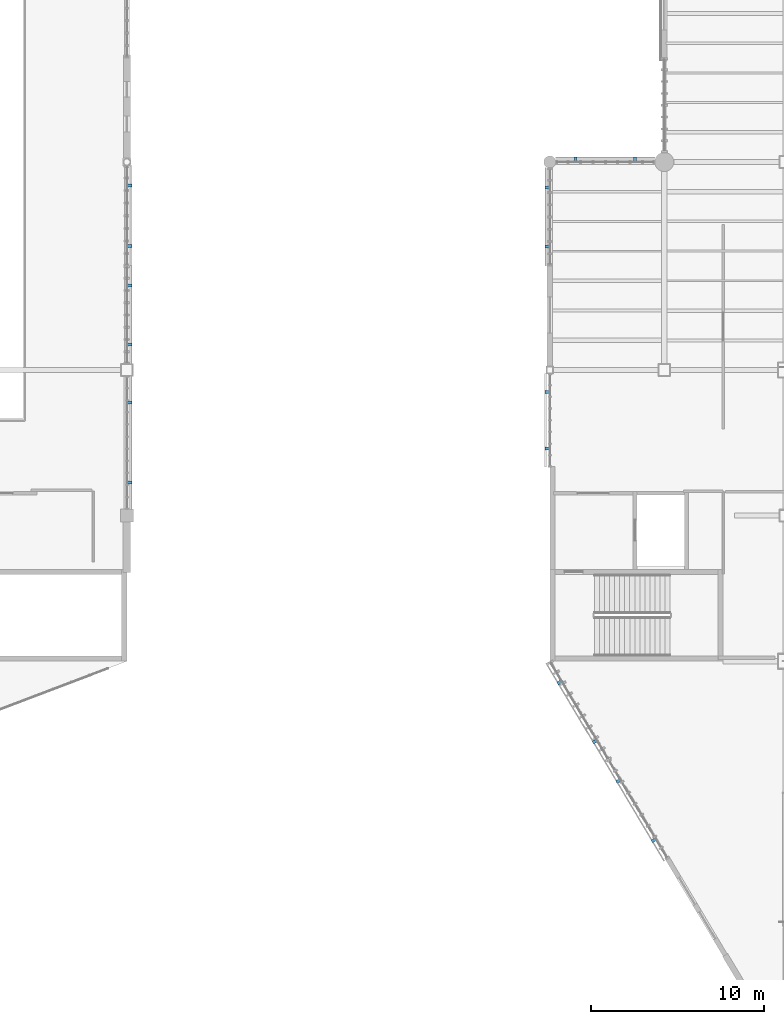
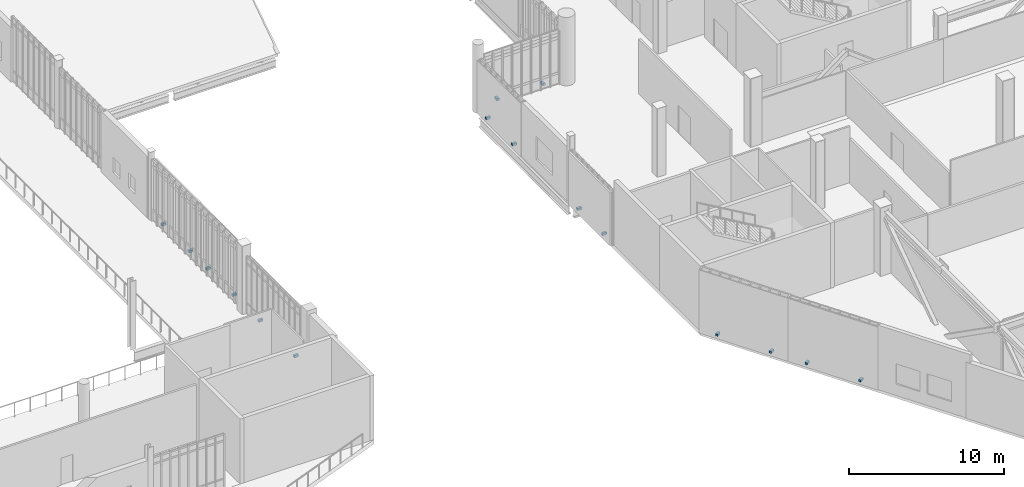
# One storey, part 124 of 135: 16 discrete accessories.
"""IFC4 building model written with IfcOpenShell, lengths in metres."""

import ifcopenshell
import ifcopenshell.guid

model = None  # the IFC model being written
_history = None  # IfcOwnerHistory: only IFC2X3 demands one
_inside = {}  # id of a spatial element -> (the spatial element, [elements in it])
_under = {}  # id of a project, library or spatial element -> (it, [spatial elements below it])
_declared = {}  # id of a project -> (the project, [libraries it declares])
_typed = {}  # id of a type object -> (the type object, [elements of that type])
_made_of = {}  # id of a material, layer set ... -> (it, [elements and type objects made of it])


def new_model(schema):
    """Start an empty IFC model of exactly this schema.

    Asked for "IFC4X3", IfcOpenShell would pick the latest addendum, in which some entities
    have other attributes; the version numbers below select the first issue.
    IFC2X3 requires an IfcOwnerHistory on every rooted entity: one is made here for all.
    """
    global model, _history
    if schema == "IFC4X3":
        model = ifcopenshell.file(schema_version=(4, 3, 0, 0))
    else:
        model = ifcopenshell.file(schema=schema)
    _inside.clear()
    _under.clear()
    _declared.clear()
    _typed.clear()
    _made_of.clear()
    _history = None
    if model.schema == "IFC2X3":
        org = make("IfcOrganization", Name="unknown")
        user = make(
            "IfcPersonAndOrganization",
            ThePerson=make("IfcPerson", FamilyName="unknown"),
            TheOrganization=org,
        )
        app = make(
            "IfcApplication",
            ApplicationDeveloper=org,
            Version="unknown",
            ApplicationFullName="unknown",
            ApplicationIdentifier="unknown",
        )
        _history = make(
            "IfcOwnerHistory",
            OwningUser=user,
            OwningApplication=app,
            ChangeAction="ADDED",
            CreationDate=0,
        )
    return model


def make(cls, **values):
    """One entity of the class cls with the attributes given. An attribute that is None is left unset."""
    return model.create_entity(
        cls, **{name: value for name, value in values.items() if value is not None}
    )


def rooted(cls, **values):
    """An entity with a GlobalId (a new one), such as an element, a storey or a relation."""
    return make(cls, GlobalId=ifcopenshell.guid.new(), OwnerHistory=_history, **values)


def si_unit(unit_type, name, prefix=None):
    """IfcSIUnit, for example si_unit("LENGTHUNIT", "METRE", prefix="MILLI")."""
    return make("IfcSIUnit", UnitType=unit_type, Prefix=prefix, Name=name)


def assignment(units):
    """IfcUnitAssignment: the units of a project."""
    return None if units is None else make("IfcUnitAssignment", Units=units)


def point(xyz):
    """IfcCartesianPoint."""
    return None if xyz is None else make("IfcCartesianPoint", Coordinates=xyz)


def direction(xyz):
    """IfcDirection."""
    return None if xyz is None else make("IfcDirection", DirectionRatios=xyz)


def frame(location, z_axis=None, x_axis=None):
    """IfcAxis2Placement3D, a coordinate frame: its origin and axes. An axis left out is left unset."""
    return make(
        "IfcAxis2Placement3D",
        Location=point(location),
        Axis=direction(z_axis),
        RefDirection=direction(x_axis),
    )


def frame_2d(location, x_axis=None):
    """IfcAxis2Placement2D, a coordinate frame in the plane: its origin and x axis."""
    return make(
        "IfcAxis2Placement2D", Location=point(location), RefDirection=direction(x_axis)
    )


def origin():
    """The frame at (0, 0, 0) with its axes left unset."""
    return frame((0.0, 0.0, 0.0))


def origin_2d():
    """The frame at (0, 0) in the plane with its x axis left unset."""
    return frame_2d((0.0, 0.0))


def place(relative_to, where):
    """IfcLocalPlacement: puts the frame where relative to a parent placement (None: the world)."""
    return make(
        "IfcLocalPlacement", PlacementRelTo=relative_to, RelativePlacement=where
    )


def context(
    kind, dimensions, precision=None, world=None, true_north=None, identifier=None
):
    """IfcGeometricRepresentationContext, for example the 3D "Model" context."""
    return make(
        "IfcGeometricRepresentationContext",
        ContextIdentifier=identifier,
        ContextType=kind,
        CoordinateSpaceDimension=dimensions,
        Precision=precision,
        WorldCoordinateSystem=world,
        TrueNorth=true_north,
    )


def subcontext(parent, identifier, kind, view, scale=None):
    """IfcGeometricRepresentationSubContext, for example "Body" below "Model"."""
    return make(
        "IfcGeometricRepresentationSubContext",
        ContextIdentifier=identifier,
        ContextType=kind,
        ParentContext=parent,
        TargetScale=scale,
        TargetView=view,
    )


def project(units=None, contexts=None):
    """IfcProject with its units and contexts."""
    return rooted(
        "IfcProject",
        Name="project",
        RepresentationContexts=contexts,
        UnitsInContext=assignment(units),
    )


def spatial(cls, under=None, at=None, **own):
    """A site, building, storey or space (cls), placed at a placement, below another one or the project."""
    s = rooted(cls, ObjectPlacement=at, **own)
    if under is not None:
        _under.setdefault(under.id(), (under, []))[1].append(s)
    return s


def profile(cls, at=None, kind="AREA", **sizes):
    """A parametric profile (cls). Its sizes go by their IFC names, for example OverallWidth=200.0."""
    return make(cls, ProfileType=kind, Position=at, **sizes)


def rectangle(**sizes):
    """IfcRectangleProfileDef."""
    return profile("IfcRectangleProfileDef", **sizes)


def extrude(swept, where, along, depth):
    """IfcExtrudedAreaSolid: the profile swept, set in the frame where, extruded along a direction by depth."""
    return make(
        "IfcExtrudedAreaSolid",
        SweptArea=swept,
        Position=where,
        ExtrudedDirection=direction(along),
        Depth=depth,
    )


def shape(context_of_items, identifier, shape_type, items):
    """IfcShapeRepresentation: the items that make up one representation, for example the "Body"."""
    return make(
        "IfcShapeRepresentation",
        ContextOfItems=context_of_items,
        RepresentationIdentifier=identifier,
        RepresentationType=shape_type,
        Items=items,
    )


def material(Name=None, Category=None):
    """IfcMaterial."""
    return make("IfcMaterial", Name=Name, Category=Category)


def layer(
    of_material, thickness, ventilated=None, Name=None, Category=None, Priority=None
):
    """IfcMaterialLayer: one layer of a wall or slab, of a material (None: an air gap)."""
    return make(
        "IfcMaterialLayer",
        Material=of_material,
        LayerThickness=thickness,
        IsVentilated=ventilated,
        Name=Name,
        Category=Category,
        Priority=Priority,
    )


def layer_set(layers, Name=None):
    """IfcMaterialLayerSet."""
    return make("IfcMaterialLayerSet", MaterialLayers=layers, LayerSetName=Name)


def made_of(thing, what):
    """Note that an element or type object is made of a material, layer set ...; save() writes the relation."""
    if what is not None:
        _made_of.setdefault(what.id(), (what, []))[1].append(thing)
    return thing


def type_object(cls, material=None, **own):
    """A type object (cls), such as IfcWallType, which elements share."""
    return made_of(rooted(cls, **own), material)


def element(
    cls,
    number,
    at=None,
    inside=None,
    cuts=None,
    type_object=None,
    material=None,
    context=None,
    identifier="Body",
    shape_type=None,
    held_by="IfcProductDefinitionShape",
    body=None,
    shapes=None,
    **own,
):
    """One element of the class cls, such as IfcWall. Its Tag is "e" and its number.

    at: its placement. inside: the storey or other place that contains it. cuts: it is an
    opening in that element (IfcRelVoidsElement). A single representation is given by context,
    identifier, shape_type and body (its items); several are given by shapes. held_by: the class
    of the entity that holds the representations. save() writes the other relations.
    """
    e = rooted(cls, Tag="e%d" % number, ObjectPlacement=at, **own)
    if body is not None:
        shapes = [shape(context, identifier, shape_type, body)]
    if shapes is not None:
        e.Representation = make(held_by, Representations=shapes)
    if inside is not None:
        _inside.setdefault(inside.id(), (inside, []))[1].append(e)
    if cuts is not None:
        rooted(
            "IfcRelVoidsElement", RelatingBuildingElement=cuts, RelatedOpeningElement=e
        )
    if type_object is not None:
        _typed.setdefault(type_object.id(), (type_object, []))[1].append(e)
    return made_of(e, material)


def aggregate(whole, parts):
    """IfcRelAggregates: a whole, such as a stair, and the parts it consists of."""
    return rooted("IfcRelAggregates", RelatingObject=whole, RelatedObjects=parts)


def save(model, path):
    """Write the relations noted so far, then the file.

    IfcRelAggregates (storeys below a building ...), IfcRelContainedInSpatialStructure (elements
    in a storey), IfcRelDefinesByType, IfcRelAssociatesMaterial and IfcRelDeclares: one each for
    every whole, place, type object, material and project.
    """
    for whole, parts in _under.values():
        aggregate(whole, parts)
    for where, things in _inside.values():
        rooted(
            "IfcRelContainedInSpatialStructure",
            RelatedElements=things,
            RelatingStructure=where,
        )
    for kind, things in _typed.values():
        rooted("IfcRelDefinesByType", RelatedObjects=things, RelatingType=kind)
    for what, things in _made_of.values():
        rooted("IfcRelAssociatesMaterial", RelatedObjects=things, RelatingMaterial=what)
    for by, libraries in _declared.values():
        rooted("IfcRelDeclares", RelatingContext=by, RelatedDefinitions=libraries)
    model.write(path)


model = new_model("IFC4")

# Units and contexts
model_context = context("Model", 3, precision=1e-05, world=origin(), true_north=direction((0.0, 1.0)))
body_context = subcontext(model_context, "Body", "Model", "MODEL_VIEW")
ifc_project = project(units=[si_unit("LENGTHUNIT", "METRE"), si_unit("AREAUNIT", "SQUARE_METRE"), si_unit("VOLUMEUNIT", "CUBIC_METRE"), si_unit("PLANEANGLEUNIT", "RADIAN"), si_unit("MASSUNIT", "GRAM", prefix="KILO")], contexts=[model_context])

# Site, building, storey
site_placement = place(None, origin())
site = spatial("IfcSite", under=ifc_project, at=site_placement, CompositionType="ELEMENT")
building_placement = place(site_placement, origin())
building = spatial("IfcBuilding", under=site, at=building_placement, Name="Larkvane Passage Sports Hall", CompositionType="ELEMENT")
storey_placement = place(building_placement, frame((0.0, 0.0, 16.800048828125)))
storey = spatial("IfcBuildingStorey", under=building, at=storey_placement, Name="L03", CompositionType="ELEMENT", Elevation=16.800048828125)

# Discrete accessories
ifc_material = material(Name="Steel S355JR", Category="steel")
ifc_layer = layer(ifc_material, 0.179931640625)
ifc_layer_set = layer_set([ifc_layer], Name="Steel S355JR")
discrete_accessory_type = type_object("IfcDiscreteAccessoryType", Name="ACC-BRACKET-STL", PredefinedType="BRACKET", material=ifc_layer_set)
for number, where, z_axis, x_axis, name in (
    (1, (124.016845703125, 12.478515625, 0.259765625), (0.0, 0.0, 1.0), (-0.512278301212, 0.858819504964, 0.0), "Veil outrigger bracket L03-085-1"),
    (2, (121.97705078125, 15.8984375, 0.259765625), (0.0, 0.0, 1.0), (-0.512278301212, 0.858819504964, 0.0), "Veil outrigger bracket L03-085-2"),
    (3, (120.6181640625, 18.176513671875, 0.259765625), (0.0, 0.0, 1.0), (-0.512278301212, 0.858819504964, 0.0), "Veil outrigger bracket L03-086-1"),
    (4, (118.581787109375, 21.590576171875, 0.259765625), (0.0, 0.0, 1.0), (-0.512278301212, 0.858819504964, 0.0), "Veil outrigger bracket L03-086-2"),
    (5, (117.8798828125, 35.080810546875, 0.259765625), (0.0, 0.0, 1.0), (0.0, 1.0, 0.0), "Veil outrigger bracket L03-087-1"),
    (6, (117.8798828125, 38.3232421875, 0.259765625), (0.0, 0.0, 1.0), (0.0, 1.0, 0.0), "Veil outrigger bracket L03-087-2"),
    (7, (117.8798828125, 46.730712890625, 0.259765625), (0.0, 0.0, 1.0), (0.0, 1.0, 0.0), "Veil outrigger bracket L03-088-1"),
    (8, (117.8798828125, 50.123291015625, 0.259765625), (0.0, 0.0, 1.0), (0.0, 1.0, 0.0), "Veil outrigger bracket L03-088-2"),
    (9, (119.487548828125, 51.719970703125, 0.259765625), (0.0, 0.0, 1.0), (1.0, 0.0, 0.0), "Veil outrigger bracket L03-089-1"),
    (10, (122.912353515625, 51.719970703125, 0.259765625), (0.0, 0.0, 1.0), (1.0, 0.0, 0.0), "Veil outrigger bracket L03-089-2"),
    (11, (93.719970703125, 50.24072265625, 0.259765625), (0.0, 0.0, 1.0), (0.0, -1.0, 0.0), "Veil outrigger bracket L03-105-1"),
    (12, (93.719970703125, 46.76025390625, 0.259765625), (0.0, 0.0, 1.0), (0.0, -1.0, 0.0), "Veil outrigger bracket L03-105-2"),
    (13, (93.719970703125, 44.46923828125, 0.259765625), (0.0, 0.0, 1.0), (0.0, -1.0, 0.0), "Veil outrigger bracket L03-106-1"),
    (14, (93.719970703125, 41.076904296875, 0.259765625), (0.0, 0.0, 1.0), (0.0, -1.0, 0.0), "Veil outrigger bracket L03-106-2"),
    (15, (93.719970703125, 37.71728515625, 0.259765625), (0.0, 0.0, 1.0), (0.0, -1.0, 0.0), "Veil outrigger bracket L03-107-1"),
    (16, (93.719970703125, 33.107666015625, 0.259765625), (0.0, 0.0, 1.0), (0.0, -1.0, 0.0), "Veil outrigger bracket L03-107-2"),
):
    element("IfcDiscreteAccessory", number, at=place(storey_placement, frame(where, z_axis=z_axis, x_axis=x_axis)), inside=storey, type_object=discrete_accessory_type, Name=name, PredefinedType="BRACKET", context=body_context, shape_type="SweptSolid", body=[
        extrude(rectangle(XDim=0.179931640625, YDim=0.320068359375, at=origin_2d()), origin(), (0.0, 0.0, 1.0), 0.179931640625),
    ])

save(model, "model.ifc")
